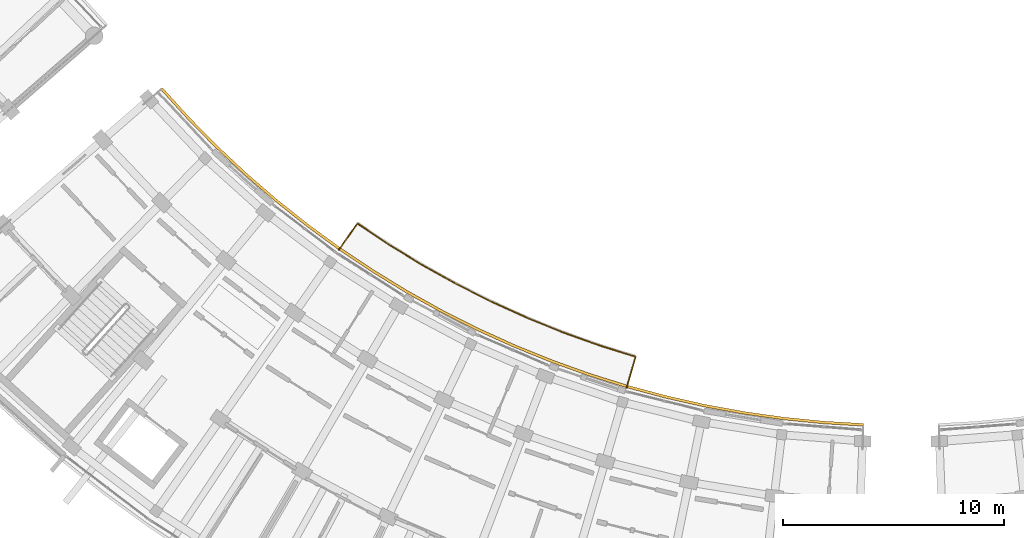
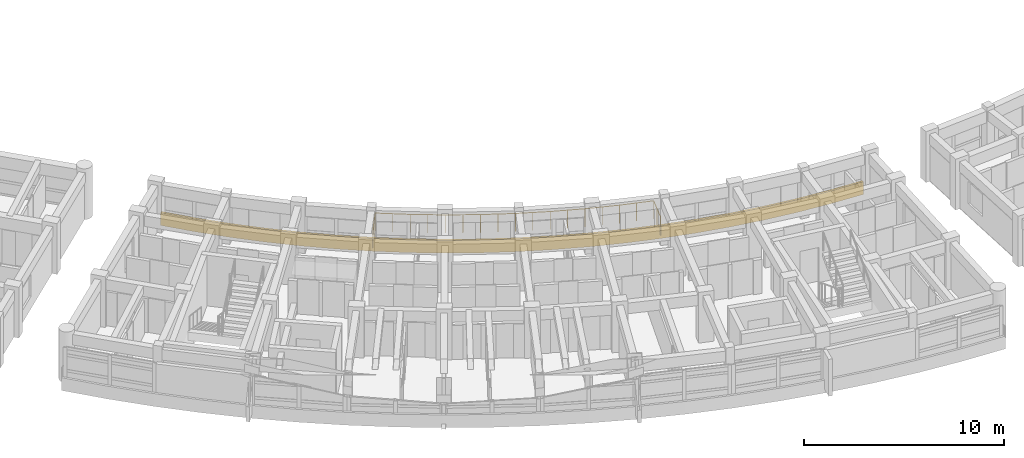
# One storey, part 50 of 56: 2 railings.
"""IFC4 building model written with IfcOpenShell, lengths in metres."""

from ifc_helpers import new_model, si_unit, direction, frame, origin, origin_2d, place, context, subcontext, project, spatial, polyline, circle, outline, extrude, material, type_object, element, save


model = new_model("IFC4")

# Units and contexts
model_context = context("Model", 3, precision=1e-05, world=origin(), true_north=direction((0.0, 1.0)))
body_context = subcontext(model_context, "Body", "Model", "MODEL_VIEW")
ifc_project = project(units=[si_unit("LENGTHUNIT", "METRE"), si_unit("AREAUNIT", "SQUARE_METRE"), si_unit("VOLUMEUNIT", "CUBIC_METRE"), si_unit("PLANEANGLEUNIT", "RADIAN"), si_unit("MASSUNIT", "GRAM", prefix="KILO")], contexts=[model_context])

# Site, building, storey
site_placement = place(None, origin())
site = spatial("IfcSite", under=ifc_project, at=site_placement, CompositionType="ELEMENT")
building_placement = place(site_placement, origin())
building = spatial("IfcBuilding", under=site, at=building_placement, Name="Zimvara Arc Housing Community", CompositionType="ELEMENT")
storey_placement = place(building_placement, frame((0.0, 0.0, 17.39990234375)))
storey = spatial("IfcBuildingStorey", under=building, at=storey_placement, Name="L05", CompositionType="ELEMENT", Elevation=17.39990234375)

# Railings
ifc_material_1 = material(Name="Anodised Aluminium AW-6063", Category="aluminium")
railing_type_1 = type_object("IfcRailingType", Name="RLG-BAL-1120", PredefinedType="BALUSTRADE", material=ifc_material_1)
railing_1_placement = place(storey_placement, frame((100.510009765625, 73.430908203125, 0.0)))
element("IfcRailing", 1, at=railing_1_placement, inside=storey, type_object=railing_type_1, Name="rlg:blkC:L05:bal_in_guard", PredefinedType="BALUSTRADE", context=body_context, shape_type="SweptSolid", body=[
    extrude(circle(Radius=0.02392578125, at=origin_2d()), frame((0.0, 0.0, 1.09619140625), z_axis=(0.572960666414, 0.819582866306, 0.0), x_axis=(-0.819582866306, 0.572960666414, 0.0)), (0.0, 0.0, 1.0), 1.469970703125),
    extrude(circle(Radius=0.02392578125, at=origin_2d()), frame((0.84228515625, 1.204833984375, 1.09619140625), z_axis=(0.831043222725, -0.556207840616, 0.0), x_axis=(0.556207840616, 0.831043222725, 0.0)), (0.0, 0.0, 1.0), 1.75537109375),
    extrude(circle(Radius=0.02392578125, at=origin_2d()), frame((2.301025390625, 0.228515625, 1.09619140625), z_axis=(0.853092665747, -0.52175943082, 0.0), x_axis=(0.52175943082, 0.853092665747, 0.0)), (0.0, 0.0, 1.0), 1.755126953125),
    extrude(circle(Radius=0.02392578125, at=origin_2d()), frame((3.79833984375, -0.687255859375, 1.09619140625), z_axis=(0.873710725311, -0.486445853592, 0.0), x_axis=(0.486445853592, 0.873710725311, 0.0)), (0.0, 0.0, 1.0), 1.755126953125),
    extrude(circle(Radius=0.02392578125, at=origin_2d()), frame((5.331787109375, -1.541015625, 1.09619140625), z_axis=(0.892779977316, -0.450492965653, 0.0), x_axis=(0.450492965653, 0.892779977316, 0.0)), (0.0, 0.0, 1.0), 1.75537109375),
    extrude(circle(Radius=0.02392578125, at=origin_2d()), frame((6.89892578125, -2.331787109375, 1.09619140625), z_axis=(0.91049504579, -0.413519977258, 0.0), x_axis=(0.413519977258, 0.91049504579, 0.0)), (0.0, 0.0, 1.0), 1.755126953125),
    extrude(circle(Radius=0.02392578125, at=origin_2d()), frame((8.4970703125, -3.0576171875, 1.09619140625), z_axis=(0.926565071811, -0.376134507458, 0.0), x_axis=(0.376134507458, 0.926565071811, 0.0)), (0.0, 0.0, 1.0), 1.755126953125),
    extrude(circle(Radius=0.02392578125, at=origin_2d()), frame((10.123291015625, -3.7177734375, 1.09619140625), z_axis=(0.94120260908, -0.337842638903, 0.0), x_axis=(0.337842638903, 0.94120260908, 0.0)), (0.0, 0.0, 1.0), 1.75537109375),
    extrude(circle(Radius=0.02392578125, at=origin_2d()), frame((11.775390625, -4.310791015625, 1.09619140625), z_axis=(0.954192435663, -0.299193575672, 0.0), x_axis=(0.299193575672, 0.954192435663, 0.0)), (0.0, 0.0, 1.0), 1.755126953125),
    extrude(circle(Radius=0.02392578125, at=origin_2d()), frame((13.4501953125, -4.8359375, 1.09619140625), z_axis=(-0.27967473749, -0.960094808449, 0.0), x_axis=(0.960094808449, -0.27967473749, 0.0)), (0.0, 0.0, 1.0), 1.469970703125),
    extrude(circle(Radius=0.02099609375, at=origin_2d()), origin(), (0.0, 0.0, 1.0), 1.072021484375),
    extrude(circle(Radius=0.02099609375, at=origin_2d()), frame((0.421142578125, 0.6025390625, 0.0)), (0.0, 0.0, 1.0), 1.072021484375),
    extrude(circle(Radius=0.02099609375, at=origin_2d()), frame((0.84228515625, 1.204833984375, 0.0)), (0.0, 0.0, 1.0), 1.072021484375),
    extrude(circle(Radius=0.02099609375, at=origin_2d()), frame((1.57177734375, 0.716796875, 0.0)), (0.0, 0.0, 1.0), 1.072021484375),
    extrude(circle(Radius=0.02099609375, at=origin_2d()), frame((2.301025390625, 0.228515625, 0.0)), (0.0, 0.0, 1.0), 1.072021484375),
    extrude(circle(Radius=0.02099609375, at=origin_2d()), frame((3.0498046875, -0.2294921875, 0.0)), (0.0, 0.0, 1.0), 1.072021484375),
    extrude(circle(Radius=0.02099609375, at=origin_2d()), frame((3.79833984375, -0.687255859375, 0.0)), (0.0, 0.0, 1.0), 1.072021484375),
    extrude(circle(Radius=0.02099609375, at=origin_2d()), frame((4.56494140625, -1.1142578125, 0.0)), (0.0, 0.0, 1.0), 1.072021484375),
    extrude(circle(Radius=0.02099609375, at=origin_2d()), frame((5.331787109375, -1.541015625, 0.0)), (0.0, 0.0, 1.0), 1.072021484375),
    extrude(circle(Radius=0.02099609375, at=origin_2d()), frame((6.115234375, -1.9365234375, 0.0)), (0.0, 0.0, 1.0), 1.072021484375),
    extrude(circle(Radius=0.02099609375, at=origin_2d()), frame((6.89892578125, -2.331787109375, 0.0)), (0.0, 0.0, 1.0), 1.072021484375),
    extrude(circle(Radius=0.02099609375, at=origin_2d()), frame((7.697998046875, -2.69482421875, 0.0)), (0.0, 0.0, 1.0), 1.072021484375),
    extrude(circle(Radius=0.02099609375, at=origin_2d()), frame((8.4970703125, -3.0576171875, 0.0)), (0.0, 0.0, 1.0), 1.072021484375),
    extrude(circle(Radius=0.02099609375, at=origin_2d()), frame((9.31005859375, -3.3876953125, 0.0)), (0.0, 0.0, 1.0), 1.072021484375),
    extrude(circle(Radius=0.02099609375, at=origin_2d()), frame((10.123291015625, -3.7177734375, 0.0)), (0.0, 0.0, 1.0), 1.072021484375),
    extrude(circle(Radius=0.02099609375, at=origin_2d()), frame((10.94921875, -4.01416015625, 0.0)), (0.0, 0.0, 1.0), 1.072021484375),
    extrude(circle(Radius=0.02099609375, at=origin_2d()), frame((11.775390625, -4.310791015625, 0.0)), (0.0, 0.0, 1.0), 1.072021484375),
    extrude(circle(Radius=0.02099609375, at=origin_2d()), frame((12.61279296875, -4.5732421875, 0.0)), (0.0, 0.0, 1.0), 1.072021484375),
    extrude(circle(Radius=0.02099609375, at=origin_2d()), frame((13.4501953125, -4.8359375, 0.0)), (0.0, 0.0, 1.0), 1.072021484375),
    extrude(circle(Radius=0.02099609375, at=origin_2d()), frame((13.24462890625, -5.54150390625, 0.0)), (0.0, 0.0, 1.0), 1.072021484375),
    extrude(circle(Radius=0.02099609375, at=origin_2d()), frame((13.0390625, -6.247314453125, 0.0)), (0.0, 0.0, 1.0), 1.072021484375),
])
ifc_material_2 = material(Name="Pale-Gold Anodised Aluminium AW-6063", Category="aluminium")
railing_type_2 = type_object("IfcRailingType", Name="RLG-FAS-780", PredefinedType="BALUSTRADE", material=ifc_material_2)
railing_2_placement = place(storey_placement, frame((0.0, 0.0, -0.219970703125)))
element("IfcRailing", 2, at=railing_2_placement, inside=storey, type_object=railing_type_2, Name="rlg:blkC:L05:gold_in", PredefinedType="BALUSTRADE", context=body_context, shape_type="SweptSolid", body=[
    extrude(outline(polyline([(92.440673828125, 80.704833984375), (93.6591796875, 79.359619140625), (94.931396484375, 78.0654296875), (96.25537109375, 76.82421875), (97.62890625, 75.63818359375), (99.0498046875, 74.50927734375), (100.515625, 73.439208984375), (102.02392578125, 72.4296875), (103.572265625, 71.48291015625), (105.15771484375, 70.60009765625), (106.778076171875, 69.782470703125), (108.430419921875, 69.031982421875), (110.112060546875, 68.349609375), (111.820068359375, 67.736328125), (113.5517578125, 67.193115234375), (115.30419921875, 66.721435546875), (117.074462890625, 66.321533203125), (118.859619140625, 65.994140625), (120.656494140625, 65.739990234375), (122.46240234375, 65.559326171875), (124.27392578125, 65.45263671875), (124.278564453125, 65.57275390625), (122.471923828125, 65.678955078125), (120.6708984375, 65.859130859375), (118.87890625, 66.112548828125), (117.0986328125, 66.43896484375), (115.3330078125, 66.837890625), (113.58544921875, 67.308349609375), (111.8583984375, 67.849853515625), (110.155029296875, 68.461669921875), (108.477783203125, 69.142333984375), (106.830078125, 69.890869140625), (105.214111328125, 70.7060546875), (103.6328125, 71.58642578125), (102.088623046875, 72.53076171875), (100.58447265625, 73.537353515625), (99.12255859375, 74.604736328125), (97.70556640625, 75.73046875), (96.335693359375, 76.91357421875), (95.01513671875, 78.1513671875), (93.746337890625, 79.442138671875), (92.53125, 80.783447265625), (92.440673828125, 80.704833984375)])), origin(), (0.0, 0.0, 1.0), 0.780029296875),
])

save(model, "model.ifc")
